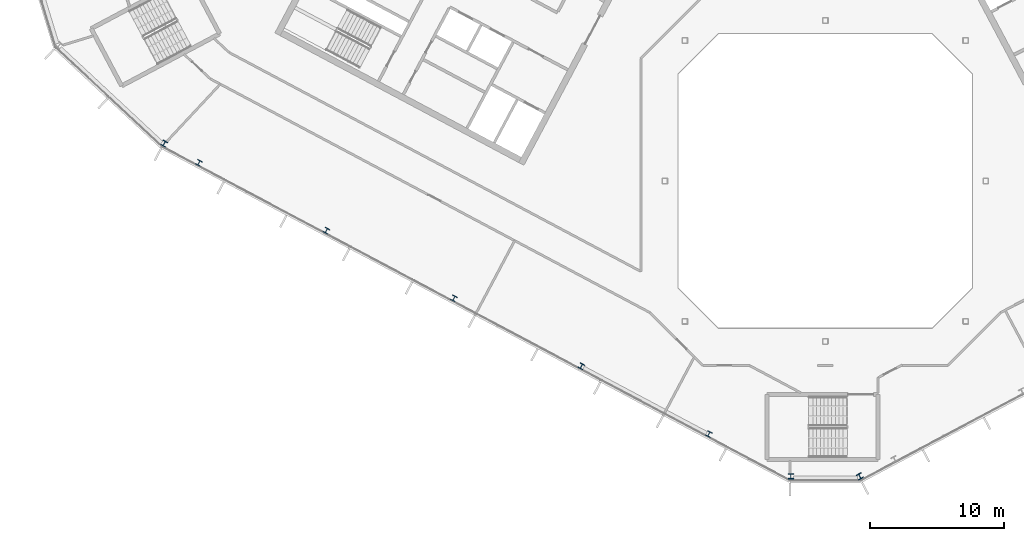
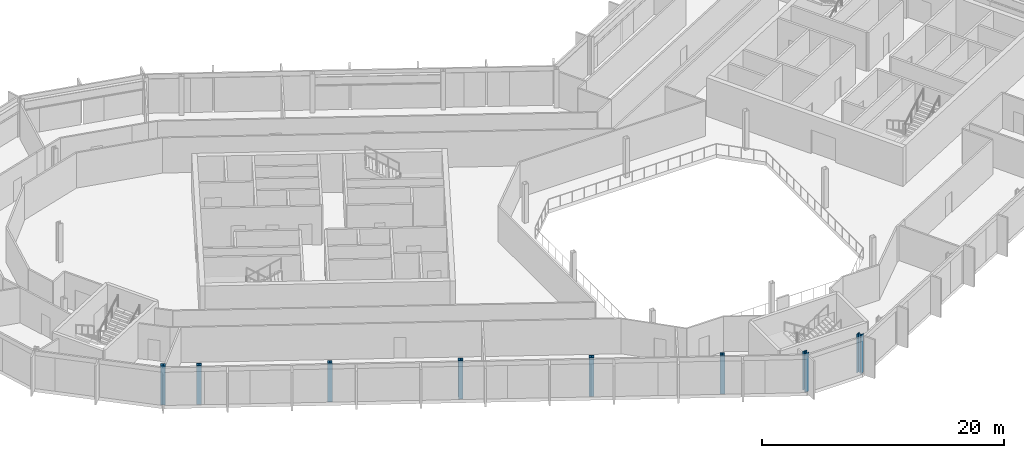
# One storey, part 1 of 26: 8 columns.
"""IFC4 building model written with IfcOpenShell, lengths in metres."""

from ifc_helpers import new_model, si_unit, direction, frame, origin, origin_2d, place, context, subcontext, project, spatial, i_section, extrude, material, material_profile, profile_set, type_object, element, save


model = new_model("IFC4")

# Units and contexts
model_context = context("Model", 3, precision=1e-05, world=origin(), true_north=direction((0.0, 1.0)))
body_context = subcontext(model_context, "Body", "Model", "MODEL_VIEW")
ifc_project = project(units=[si_unit("LENGTHUNIT", "METRE"), si_unit("AREAUNIT", "SQUARE_METRE"), si_unit("VOLUMEUNIT", "CUBIC_METRE"), si_unit("PLANEANGLEUNIT", "RADIAN"), si_unit("MASSUNIT", "GRAM", prefix="KILO")], contexts=[model_context])

# Site, building, storey
site_placement = place(None, origin())
site = spatial("IfcSite", under=ifc_project, at=site_placement, CompositionType="ELEMENT")
building_placement = place(site_placement, origin())
building = spatial("IfcBuilding", under=site, at=building_placement, Name="Cormorant Relay Tower", CompositionType="ELEMENT")
storey_placement = place(building_placement, frame((0.0, 0.0, 293.10009765625)))
storey = spatial("IfcBuildingStorey", under=building, at=storey_placement, Name="L66", CompositionType="ELEMENT", Elevation=293.10009765625)

# Columns
ifc_material_1 = material(Name="Steel ASTM A992 (Fy 345 MPa)", Category="steel")
ifc_material_profile_1 = material_profile(ifc_material_1, i_section(OverallWidth=0.398681640625, OverallDepth=0.385986328125, WebThickness=0.02099609375, FlangeThickness=0.033203125, FilletRadius=0.01513671875, at=origin_2d()), Name="W360x262")
ifc_profile_set_1 = profile_set([ifc_material_profile_1], Name="Steel ASTM A992 (Fy 345 MPa)")
column_type_1 = type_object("IfcColumnType", Name="Column W360x262", PredefinedType="COLUMN", material=ifc_profile_set_1)
for number, where, z_axis, x_axis, name in (
    (1, (-8.705078125, -18.928955078125, 0.0), (0.0, 0.0, 1.0), (0.882947592859, -0.469471562786, 0.0), "Column L66-004"),
    (2, (-18.240966796875, -13.85791015625, 0.0), (0.0, 0.0, 1.0), (0.882947592859, -0.469471562786, 0.0), "Column L66-006"),
    (3, (-27.777099609375, -8.7880859375, 0.0), (0.0, 0.0, 1.0), (0.882947592859, -0.469471562786, 0.0), "Column L66-011"),
    (4, (-37.31298828125, -3.718017578125, 0.0), (0.0, 0.0, 1.0), (0.882947592859, -0.469471562786, 0.0), "Column L66-013"),
    (5, (-46.84912109375, 1.35205078125, 0.0), (0.0, 0.0, 1.0), (0.882947592859, -0.469471562786, 0.0), "Column L66-017"),
):
    element("IfcColumn", number, at=place(storey_placement, frame(where, z_axis=z_axis, x_axis=x_axis)), inside=storey, type_object=column_type_1, Name=name, PredefinedType="COLUMN", context=body_context, shape_type="SweptSolid", body=[
        extrude(i_section(OverallWidth=0.398681640625, OverallDepth=0.385986328125, WebThickness=0.02099609375, FlangeThickness=0.033203125, FilletRadius=0.01513671875, at=origin_2d()), origin(), (0.0, 0.0, 1.0), 3.89990234375),
    ])
ifc_material_2 = material(Name="Steel ASTM A992 (Fy 345 MPa)", Category="steel")
ifc_material_profile_2 = material_profile(ifc_material_2, i_section(OverallWidth=0.40380859375, OverallDepth=0.406494140625, WebThickness=0.027099609375, FlangeThickness=0.043701171875, FilletRadius=0.01513671875, at=origin_2d()), Name="W360x347")
ifc_profile_set_2 = profile_set([ifc_material_profile_2], Name="Steel ASTM A992 (Fy 345 MPa)")
column_type_2 = type_object("IfcColumnType", Name="Column W360x347", PredefinedType="COLUMN", material=ifc_profile_set_2)
for number, where, z_axis, x_axis, name in (
    (6, (-2.5791015625, -22.093994140625, 0.0), (0.0, 0.0, 1.0), (1.0, 0.0, 0.0), "Column L66-001"),
    (7, (2.5791015625, -22.093994140625, 0.0), (0.0, 0.0, 1.0), (0.882947592859, 0.469471562786, 0.0), "Column L66-002"),
    (8, (-49.44091796875, 2.7958984375, 0.0), (0.0, 0.0, 1.0), (0.882947592859, -0.469471562786, 0.0), "Column L66-018"),
):
    element("IfcColumn", number, at=place(storey_placement, frame(where, z_axis=z_axis, x_axis=x_axis)), inside=storey, type_object=column_type_2, Name=name, PredefinedType="COLUMN", context=body_context, shape_type="SweptSolid", body=[
        extrude(i_section(OverallWidth=0.40380859375, OverallDepth=0.406494140625, WebThickness=0.027099609375, FlangeThickness=0.043701171875, FilletRadius=0.01513671875, at=origin_2d()), origin(), (0.0, 0.0, 1.0), 3.89990234375),
    ])

save(model, "model.ifc")
